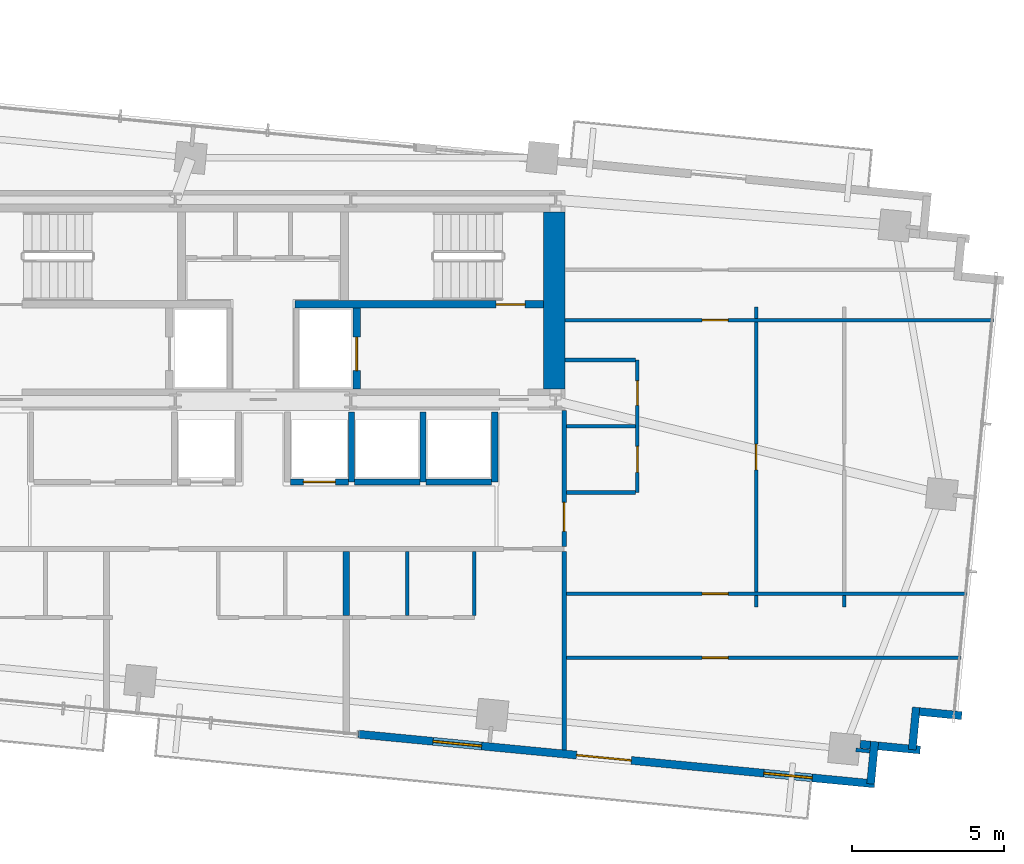
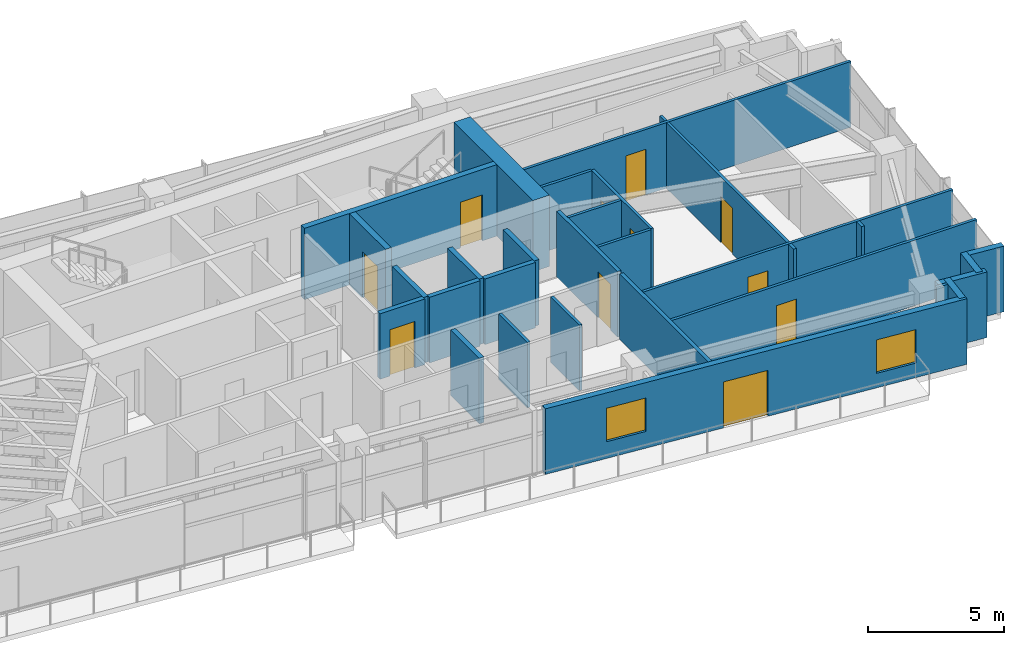
# One storey, part 16 of 19: 31 walls, 11 doors, 2 windows, 13 openings.
"""IFC4 building model written with IfcOpenShell, lengths in metres."""

from ifc_helpers import new_model, si_unit, direction, frame, frame_2d, origin, place, context, subcontext, project, spatial, rectangle, extrude, source, transform, mapped, material, layer, layer_set, type_object, type_shapes, element, fill, save


model = new_model("IFC4")

# Units and contexts
model_context = context("Model", 3, precision=1e-05, world=origin(), true_north=direction((0.0, 1.0)))
body_context = subcontext(model_context, "Body", "Model", "MODEL_VIEW")
ifc_project = project(units=[si_unit("LENGTHUNIT", "METRE"), si_unit("AREAUNIT", "SQUARE_METRE"), si_unit("VOLUMEUNIT", "CUBIC_METRE"), si_unit("PLANEANGLEUNIT", "RADIAN"), si_unit("MASSUNIT", "GRAM", prefix="KILO")], contexts=[model_context])

# Site, building, storey
site_placement = place(None, origin())
site = spatial("IfcSite", under=ifc_project, at=site_placement, CompositionType="ELEMENT")
building_placement = place(site_placement, origin())
building = spatial("IfcBuilding", under=site, at=building_placement, Name="Astriad Promenade Condominiums", CompositionType="ELEMENT")
storey_placement = place(building_placement, frame((0.0, 0.0, 150.199951171875)))
storey = spatial("IfcBuildingStorey", under=building, at=storey_placement, Name="L43", CompositionType="ELEMENT", Elevation=150.199951171875)

# Wall
ifc_material_1 = material(Name="Concrete C60/75", Category="concrete")
ifc_layer_1 = layer(ifc_material_1, 0.699951171875)
ifc_layer_set_1 = layer_set([ifc_layer_1], Name="Concrete C60/75")
wall_type_1 = type_object("IfcWallType", Name="CW-SHEAR-700", PredefinedType="SHEAR", material=ifc_layer_set_1)
wall_1_placement = place(storey_placement, frame((45.550048828125, 17.802001953125, 0.0), z_axis=(0.0, 0.0, 1.0), x_axis=(0.0, 1.0, 0.0)))
element("IfcWall", 1, at=wall_1_placement, inside=storey, type_object=wall_type_1, Name="CW-CORE-E-L43", PredefinedType="SHEAR", context=body_context, shape_type="SweptSolid", body=[
    extrude(rectangle(XDim=5.7958984375, YDim=0.699951171875, at=frame_2d((2.89794921875, 0.0))), origin(), (0.0, 0.0, 1.0), 3.199951171875),
])

# Wall, opening, door
ifc_material_2 = material(Name="Concrete C50/60", Category="concrete")
ifc_layer_2 = layer(ifc_material_2, 0.25)
ifc_layer_set_2 = layer_set([ifc_layer_2], Name="Concrete C50/60")
wall_type_2 = type_object("IfcWallType", Name="WALL-CORE-INT-250", PredefinedType="SOLIDWALL", material=ifc_layer_set_2)
wall_2_placement = place(storey_placement, frame((37.050048828125, 20.574951171875, 0.0), z_axis=(0.0, 0.0, 1.0), x_axis=(1.0, 0.0, 0.0)))
wall_2 = element("IfcWall", 2, at=wall_2_placement, inside=storey, type_object=wall_type_2, Name="CW-INT-H2-L43", PredefinedType="SOLIDWALL", context=body_context, shape_type="SweptSolid", body=[
    extrude(rectangle(XDim=8.14794921875, YDim=0.25, at=frame_2d((4.073974609375, 0.0))), origin(), (0.0, 0.0, 1.0), 3.199951171875),
])
opening_1_placement = place(wall_2_placement, frame((6.60009765625, 0.0, 0.0)))
opening_1 = element("IfcOpeningElement", 3, at=opening_1_placement, cuts=wall_2, Name="Opening FD90-ST-095", PredefinedType="OPENING", context=body_context, shape_type="SweptSolid", body=[
    extrude(rectangle(XDim=0.949951171875, YDim=2.06005859375, at=frame_2d((0.47509765625, 1.030029296875))), frame((0.0, 0.135009765625, 0.0), z_axis=(0.0, -1.0, 0.0), x_axis=(1.0, 0.0, 0.0)), (0.0, 0.0, 1.0), 0.27001953125),
])
ifc_material_3 = material(Name="Fire-Rated Hollow Metal Stair Door")
door_type_1 = type_object("IfcDoorType", Name="FD90-ST-095", OperationType="NOTDEFINED", PredefinedType="DOOR", material=ifc_material_3)
shared_shape_1 = source(origin(), body_context, "Body", "SweptSolid", [
    extrude(rectangle(XDim=0.949951171875, YDim=2.06005859375, at=frame_2d((0.47509765625, 1.030029296875))), frame((0.0, 0.02490234375, 0.0), z_axis=(0.0, -1.0, 0.0), x_axis=(1.0, 0.0, 0.0)), (0.0, 0.0, 1.0), 0.050048828125),
])
type_shapes(door_type_1, [shared_shape_1])
door_1_placement = place(opening_1_placement, origin())
door_1 = element("IfcDoor", 4, at=door_1_placement, inside=storey, type_object=door_type_1, Name="D-ST2-L43", OperationType="SINGLE_SWING_RIGHT", OverallHeight=2.06005859375, OverallWidth=0.949951171875, PredefinedType="DOOR", context=body_context, shape_type="MappedRepresentation", body=[
    mapped(shared_shape_1, transform((0.0, 0.0, 0.0), scale=1.0)),
])
fill(opening_1, door_1)

wall_3_placement = place(storey_placement, frame((39.074951171875, 17.802001953125, 0.0), z_axis=(0.0, 0.0, 1.0), x_axis=(0.0, 1.0, 0.0)))
wall_3 = element("IfcWall", 5, at=wall_3_placement, inside=storey, type_object=wall_type_2, Name="CW-FFL2-E-L43", PredefinedType="SOLIDWALL", context=body_context, shape_type="SweptSolid", body=[
    extrude(rectangle(XDim=2.64599609375, YDim=0.25, at=frame_2d((1.322998046875, 0.0))), origin(), (0.0, 0.0, 1.0), 3.199951171875),
])
opening_2_placement = place(wall_3_placement, frame((0.597900390625, 0.0, 0.0)))
opening_2 = element("IfcOpeningElement", 6, at=opening_2_placement, cuts=wall_3, Name="Opening LD-FFL-1122", PredefinedType="OPENING", context=body_context, shape_type="SweptSolid", body=[
    extrude(rectangle(XDim=1.10009765625, YDim=2.080078125, at=frame_2d((0.550048828125, 1.0400390625))), frame((0.0, 0.135009765625, 0.0), z_axis=(0.0, -1.0, 0.0), x_axis=(1.0, 0.0, 0.0)), (0.0, 0.0, 1.0), 0.27001953125),
])
ifc_material_4 = material(Name="Brushed Stainless Steel Fire Elevator Landing Door", Category="steel")
door_type_2 = type_object("IfcDoorType", Name="LD-FFL-1122", OperationType="NOTDEFINED", PredefinedType="DOOR", material=ifc_material_4)
shared_shape_2 = source(origin(), body_context, "Body", "SweptSolid", [
    extrude(rectangle(XDim=1.10009765625, YDim=2.080078125, at=frame_2d((0.550048828125, 1.0400390625))), frame((0.0, 0.02490234375, 0.0), z_axis=(0.0, -1.0, 0.0), x_axis=(1.0, 0.0, 0.0)), (0.0, 0.0, 1.0), 0.050048828125),
])
type_shapes(door_type_2, [shared_shape_2])
door_2_placement = place(opening_2_placement, origin())
door_2 = element("IfcDoor", 7, at=door_2_placement, inside=storey, type_object=door_type_2, Name="Elevator Landing Door FFL-2 (L43)", OperationType="SLIDING_TO_RIGHT", OverallHeight=2.080078125, OverallWidth=1.10009765625, PredefinedType="DOOR", context=body_context, shape_type="MappedRepresentation", body=[
    mapped(shared_shape_2, transform((0.0, 0.0, 0.0), scale=1.0)),
])
fill(opening_2, door_2)

# Wall
ifc_material_5 = material(Name="Fire-Rated Gypsum Partition")
ifc_layer_3 = layer(ifc_material_5, 0.159912109375)
ifc_layer_set_3 = layer_set([ifc_layer_3], Name="Fire-Rated Gypsum Partition")
wall_type_3 = type_object("IfcWallType", Name="WALL-CORR-160", PredefinedType="PARTITIONING", material=ifc_layer_set_3)
wall_4_placement = place(storey_placement, frame((45.8798828125, 5.95849609375, 0.0), z_axis=(0.0, 0.0, 1.0), x_axis=(0.0, 1.0, 0.0)))
element("IfcWall", 8, at=wall_4_placement, inside=storey, type_object=wall_type_3, Name="PT-COR-E-L43", PredefinedType="PARTITIONING", context=body_context, shape_type="SweptSolid", body=[
    extrude(rectangle(XDim=6.509521484375, YDim=0.159912109375, at=frame_2d((3.2548828125, 0.0))), origin(), (0.0, 0.0, 1.0), 2.93994140625),
])

# Wall, opening, door
wall_5_placement = place(storey_placement, frame((45.8798828125, 12.632080078125, 0.0), z_axis=(0.0, 0.0, 1.0), x_axis=(0.0, 1.0, 0.0)))
wall_5 = element("IfcWall", 9, at=wall_5_placement, inside=storey, type_object=wall_type_3, Name="PT-COR-E-L43-S2", PredefinedType="PARTITIONING", context=body_context, shape_type="SweptSolid", body=[
    extrude(rectangle(XDim=4.4658203125, YDim=0.159912109375, at=frame_2d((2.23291015625, 0.0))), origin(), (0.0, 0.0, 1.0), 2.93994140625),
])
opening_3_placement = place(wall_5_placement, frame((0.492919921875, 0.0, 0.0)))
opening_3 = element("IfcOpeningElement", 10, at=opening_3_placement, cuts=wall_5, Name="Opening FD60-APT-095", PredefinedType="OPENING", context=body_context, shape_type="SweptSolid", body=[
    extrude(rectangle(XDim=0.949951171875, YDim=2.06005859375, at=frame_2d((0.47509765625, 1.030029296875))), frame((0.0, 0.08984375, 0.0), z_axis=(0.0, -1.0, 0.0), x_axis=(1.0, 0.0, 0.0)), (0.0, 0.0, 1.0), 0.179931640625),
])
ifc_material_6 = material(Name="Solid-Core Acoustic Timber Residence Entry Door", Category="wood")
door_type_3 = type_object("IfcDoorType", Name="FD60-APT-095", OperationType="NOTDEFINED", PredefinedType="DOOR", material=ifc_material_6)
shared_shape_3 = source(origin(), body_context, "Body", "SweptSolid", [
    extrude(rectangle(XDim=0.949951171875, YDim=2.06005859375, at=frame_2d((0.47509765625, 1.030029296875))), frame((0.0, 0.02490234375, 0.0), z_axis=(0.0, -1.0, 0.0), x_axis=(1.0, 0.0, 0.0)), (0.0, 0.0, 1.0), 0.050048828125),
])
type_shapes(door_type_3, [shared_shape_3])
door_3_placement = place(opening_3_placement, origin())
door_3 = element("IfcDoor", 11, at=door_3_placement, inside=storey, type_object=door_type_3, Name="D-ENT-L43-E1", OperationType="SINGLE_SWING_RIGHT", OverallHeight=2.06005859375, OverallWidth=0.949951171875, PredefinedType="DOOR", context=body_context, shape_type="MappedRepresentation", body=[
    mapped(shared_shape_3, transform((0.0, 0.0, 0.0), scale=1.0)),
])
fill(opening_3, door_3)

# Walls
ifc_material_7 = material(Name="Acoustic Double-Stud Gypsum Partition")
ifc_layer_4 = layer(ifc_material_7, 0.199951171875)
ifc_layer_set_4 = layer_set([ifc_layer_4], Name="Acoustic Double-Stud Gypsum Partition")
wall_type_4 = type_object("IfcWallType", Name="WALL-DEMISING-200", PredefinedType="PARTITIONING", material=ifc_layer_set_4)
wall_6_placement = place(storey_placement, frame((38.73095703125, 10.362060546875, 0.0), z_axis=(0.0, 0.0, 1.0), x_axis=(0.0, 1.0, 0.0)))
element("IfcWall", 12, at=wall_6_placement, inside=storey, type_object=wall_type_4, Name="PT-DEM-S2-L43-S2", PredefinedType="PARTITIONING", context=body_context, shape_type="SweptSolid", body=[
    extrude(rectangle(XDim=2.10595703125, YDim=0.199951171875, at=frame_2d((1.052978515625, 0.0))), origin(), (0.0, 0.0, 1.0), 2.93994140625),
])
ifc_material_8 = material(Name="Precast concrete C50/60", Category="concrete")
ifc_layer_5 = layer(ifc_material_8, 0.260009765625)
ifc_layer_set_5 = layer_set([ifc_layer_5], Name="Precast concrete C50/60")
wall_type_5 = type_object("IfcWallType", Name="WALL-EXT-TWR-260", PredefinedType="STANDARD", material=ifc_layer_set_5)
for number, where, z_axis, x_axis, name in (
    (13, (58.918701171875, 7.081787109375, 0.0), (0.0, 0.0, 1.0), (-0.995389446633, 0.095915846097, 0.0), "W-SER-L43-14"),
    (14, (57.42822265625, 7.35595703125, 0.0), (0.0, 0.0, 1.0), (-0.095915846097, -0.995389446633, 0.0), "W-SER-L43-15"),
):
    element("IfcWall", number, at=place(storey_placement, frame(where, z_axis=z_axis, x_axis=x_axis)), inside=storey, type_object=wall_type_5, Name=name, PredefinedType="STANDARD", context=body_context, shape_type="SweptSolid", body=[
        extrude(rectangle(XDim=1.394775390625, YDim=0.260009765625, at=frame_2d((0.697265625, 0.0))), origin(), (0.0, 0.0, 1.0), 2.93994140625),
    ])
wall_7_placement = place(storey_placement, frame((57.5546875, 5.95751953125, 0.0), z_axis=(0.0, 0.0, 1.0), x_axis=(-0.995401789159, 0.095787672171, 0.0)))
element("IfcWall", 15, at=wall_7_placement, inside=storey, type_object=wall_type_5, Name="W-SER-L43-16", PredefinedType="STANDARD", context=body_context, shape_type="SweptSolid", body=[
    extrude(rectangle(XDim=1.977783203125, YDim=0.260009765625, at=frame_2d((0.98876953125, 0.0))), origin(), (0.0, 0.0, 1.0), 2.93994140625),
])
wall_8_placement = place(storey_placement, frame((56.064208984375, 6.231689453125, 0.0), z_axis=(0.0, 0.0, 1.0), x_axis=(-0.09589913835, -0.995391056452, 0.0)))
element("IfcWall", 16, at=wall_8_placement, inside=storey, type_object=wall_type_5, Name="W-SER-L43-17", PredefinedType="STANDARD", context=body_context, shape_type="SweptSolid", body=[
    extrude(rectangle(XDim=1.39501953125, YDim=0.260009765625, at=frame_2d((0.697509765625, 0.0))), origin(), (0.0, 0.0, 1.0), 2.93994140625),
])

# Wall, openings, door, windows
wall_9_placement = place(storey_placement, frame((56.061279296875, 4.845458984375, 0.0), z_axis=(0.0, 0.0, 1.0), x_axis=(-0.995395976631, 0.095848055311, 0.0)))
wall_9 = element("IfcWall", 17, at=wall_9_placement, inside=storey, type_object=wall_type_5, Name="W-EXT-L43-S1", PredefinedType="STANDARD", context=body_context, shape_type="SweptSolid", body=[
    extrude(rectangle(XDim=17.010009765625, YDim=0.260009765625, at=frame_2d((8.5048828125, 0.0))), origin(), (0.0, 0.0, 1.0), 2.93994140625),
])
opening_4_placement = place(wall_9_placement, frame((8.02294921875, 0.0, 0.0)))
opening_4 = element("IfcOpeningElement", 18, at=opening_4_placement, cuts=wall_9, Name="Opening BD-1822-SLD", PredefinedType="OPENING", context=body_context, shape_type="SweptSolid", body=[
    extrude(rectangle(XDim=1.800048828125, YDim=2.06005859375, at=frame_2d((0.89990234375, 1.030029296875))), frame((0.0, 0.139892578125, 0.0), z_axis=(0.0, -1.0, 0.0), x_axis=(1.0, 0.0, 0.0)), (0.0, 0.0, 1.0), 0.280029296875),
])
opening_5_placement = place(wall_9_placement, frame((2.050048828125, 0.0, 0.64990234375)))
opening_5 = element("IfcOpeningElement", 19, at=opening_5_placement, cuts=wall_9, Name="Opening WIN-TWR-1620", PredefinedType="OPENING", context=body_context, shape_type="SweptSolid", body=[
    extrude(rectangle(XDim=1.60009765625, YDim=1.5, at=frame_2d((0.800048828125, 0.75))), frame((0.0, 0.139892578125, 0.0), z_axis=(0.0, -1.0, 0.0), x_axis=(1.0, 0.0, 0.0)), (0.0, 0.0, 1.0), 0.280029296875),
])
opening_6_placement = place(wall_9_placement, frame((12.951904296875, 0.0, 0.75)))
opening_6 = element("IfcOpeningElement", 20, at=opening_6_placement, cuts=wall_9, Name="Opening WIN-TWR-1620", PredefinedType="OPENING", context=body_context, shape_type="SweptSolid", body=[
    extrude(rectangle(XDim=1.60009765625, YDim=1.5, at=frame_2d((0.800048828125, 0.75))), frame((0.0, 0.139892578125, 0.0), z_axis=(0.0, -1.0, 0.0), x_axis=(1.0, 0.0, 0.0)), (0.0, 0.0, 1.0), 0.280029296875),
])
ifc_material_9 = material(Name="Thermally Broken Aluminium Sliding Balcony Door", Category="aluminium")
door_type_4 = type_object("IfcDoorType", Name="BD-1822-SLD", OperationType="NOTDEFINED", PredefinedType="DOOR", material=ifc_material_9)
shared_shape_4 = source(origin(), body_context, "Body", "SweptSolid", [
    extrude(rectangle(XDim=1.800048828125, YDim=2.06005859375, at=frame_2d((0.89990234375, 1.030029296875))), frame((0.0, 0.02490234375, 0.0), z_axis=(0.0, -1.0, 0.0), x_axis=(1.0, 0.0, 0.0)), (0.0, 0.0, 1.0), 0.050048828125),
])
type_shapes(door_type_4, [shared_shape_4])
door_4_placement = place(opening_4_placement, origin())
door_4 = element("IfcDoor", 21, at=door_4_placement, inside=storey, type_object=door_type_4, Name="BD-L43-SE", OperationType="SLIDING_TO_RIGHT", OverallHeight=2.06005859375, OverallWidth=1.800048828125, PredefinedType="DOOR", context=body_context, shape_type="MappedRepresentation", body=[
    mapped(shared_shape_4, transform((0.0, 0.0, 0.0), scale=1.0)),
])
fill(opening_4, door_4)
ifc_material_10 = material(Name="Dark Tinted Triple-Glazed Aluminium Window", Category="aluminium")
window_type = type_object("IfcWindowType", Name="WIN-TWR-1620", PartitioningType="SINGLE_PANEL", PredefinedType="WINDOW", material=ifc_material_10)
shared_shape_5 = source(origin(), body_context, "Body", "SweptSolid", [
    extrude(rectangle(XDim=1.60009765625, YDim=1.5, at=frame_2d((0.800048828125, 0.75))), frame((0.0, 0.030029296875, 0.0), z_axis=(0.0, -1.0, 0.0), x_axis=(1.0, 0.0, 0.0)), (0.0, 0.0, 1.0), 0.06005859375),
])
type_shapes(window_type, [shared_shape_5])
window_1_placement = place(opening_5_placement, origin())
window_1 = element("IfcWindow", 22, at=window_1_placement, inside=storey, type_object=window_type, Name="WIN-L43-SE", OverallHeight=1.5, OverallWidth=1.60009765625, PartitioningType="SINGLE_PANEL", PredefinedType="WINDOW", context=body_context, shape_type="MappedRepresentation", body=[
    mapped(shared_shape_5, transform((0.0, 0.0, 0.0), scale=1.0)),
])
fill(opening_5, window_1)
window_2_placement = place(opening_6_placement, origin())
window_2 = element("IfcWindow", 23, at=window_2_placement, inside=storey, type_object=window_type, Name="WIN-DW-L43-S3-STD", OverallHeight=1.5, OverallWidth=1.60009765625, PartitioningType="SINGLE_PANEL", PredefinedType="WINDOW", context=body_context, shape_type="MappedRepresentation", body=[
    mapped(shared_shape_5, transform((0.0, 0.0, 0.0), scale=1.0)),
])
fill(opening_6, window_2)

# Walls
ifc_material_11 = material(Name="Acoustic Metal-Stud Gypsum Partition")
ifc_layer_6 = layer(ifc_material_11, 0.1201171875)
ifc_layer_set_6 = layer_set([ifc_layer_6], Name="Acoustic Metal-Stud Gypsum Partition")
wall_type_6 = type_object("IfcWallType", Name="WALL-PART-120", PredefinedType="PARTITIONING", material=ifc_layer_set_6)
for number, where, z_axis, x_axis, name in (
    (24, (42.930908203125, 10.362060546875, 0.0), (0.0, 0.0, 1.0), (0.0, 1.0, 0.0), "PT-L43-S3-PK"),
    (25, (40.73095703125, 10.362060546875, 0.0), (0.0, 0.0, 1.0), (0.0, 1.0, 0.0), "PT-L43-S3-PB"),
):
    element("IfcWall", number, at=place(storey_placement, frame(where, z_axis=z_axis, x_axis=x_axis)), inside=storey, type_object=wall_type_6, Name=name, PredefinedType="PARTITIONING", context=body_context, shape_type="SweptSolid", body=[
        extrude(rectangle(XDim=2.10595703125, YDim=0.1201171875, at=frame_2d((1.052978515625, 0.0))), origin(), (0.0, 0.0, 1.0), 2.93994140625),
    ])

# Wall, openings, doors
wall_10_placement = place(storey_placement, frame((48.280029296875, 14.39990234375, 0.0), z_axis=(0.0, 0.0, 1.0), x_axis=(0.0, 1.0, 0.0)))
wall_10 = element("IfcWall", 26, at=wall_10_placement, inside=storey, type_object=wall_type_6, Name="PT-L43-E1-PV", PredefinedType="PARTITIONING", context=body_context, shape_type="SweptSolid", body=[
    extrude(rectangle(XDim=4.35009765625, YDim=0.1201171875, at=frame_2d((2.175048828125, 0.0))), origin(), (0.0, 0.0, 1.0), 2.93994140625),
])
opening_7_placement = place(wall_10_placement, frame((0.6630859375, 0.0, 0.0)))
opening_7 = element("IfcOpeningElement", 27, at=opening_7_placement, cuts=wall_10, Name="Opening D-INT-085", PredefinedType="OPENING", context=body_context, shape_type="SweptSolid", body=[
    extrude(rectangle(XDim=0.85009765625, YDim=2.050048828125, at=frame_2d((0.425048828125, 1.02490234375))), frame((0.0, 0.070068359375, 0.0), z_axis=(0.0, -1.0, 0.0), x_axis=(1.0, 0.0, 0.0)), (0.0, 0.0, 1.0), 0.14013671875),
])
opening_8_placement = place(wall_10_placement, frame((2.863037109375, 0.0, 0.0)))
opening_8 = element("IfcOpeningElement", 28, at=opening_8_placement, cuts=wall_10, Name="Opening D-WET-080", PredefinedType="OPENING", context=body_context, shape_type="SweptSolid", body=[
    extrude(rectangle(XDim=0.800048828125, YDim=2.02001953125, at=frame_2d((0.39990234375, 1.010009765625))), frame((0.0, 0.070068359375, 0.0), z_axis=(0.0, -1.0, 0.0), x_axis=(1.0, 0.0, 0.0)), (0.0, 0.0, 1.0), 0.14013671875),
])
ifc_material_12 = material(Name="Moisture-Resistant Timber Bathroom Door", Category="wood")
door_type_5 = type_object("IfcDoorType", Name="D-WET-080", OperationType="NOTDEFINED", PredefinedType="DOOR", material=ifc_material_12)
shared_shape_6 = source(origin(), body_context, "Body", "SweptSolid", [
    extrude(rectangle(XDim=0.800048828125, YDim=2.02001953125, at=frame_2d((0.39990234375, 1.010009765625))), frame((0.0, 0.02490234375, 0.0), z_axis=(0.0, -1.0, 0.0), x_axis=(1.0, 0.0, 0.0)), (0.0, 0.0, 1.0), 0.050048828125),
])
type_shapes(door_type_5, [shared_shape_6])
door_5_placement = place(opening_8_placement, origin())
door_5 = element("IfcDoor", 29, at=door_5_placement, inside=storey, type_object=door_type_5, Name="D-BTH-L43-E1", OperationType="SINGLE_SWING_RIGHT", OverallHeight=2.02001953125, OverallWidth=0.800048828125, PredefinedType="DOOR", context=body_context, shape_type="MappedRepresentation", body=[
    mapped(shared_shape_6, transform((0.0, 0.0, 0.0), scale=1.0)),
])
fill(opening_8, door_5)
ifc_material_13 = material(Name="Painted Solid-Core Timber Room Door", Category="wood")
door_type_6 = type_object("IfcDoorType", Name="D-INT-085", OperationType="NOTDEFINED", PredefinedType="DOOR", material=ifc_material_13)
shared_shape_7 = source(origin(), body_context, "Body", "SweptSolid", [
    extrude(rectangle(XDim=0.85009765625, YDim=2.050048828125, at=frame_2d((0.425048828125, 1.02490234375))), frame((0.0, 0.02490234375, 0.0), z_axis=(0.0, -1.0, 0.0), x_axis=(1.0, 0.0, 0.0)), (0.0, 0.0, 1.0), 0.050048828125),
])
type_shapes(door_type_6, [shared_shape_7])
door_6_placement = place(opening_7_placement, origin())
door_6 = element("IfcDoor", 30, at=door_6_placement, inside=storey, type_object=door_type_6, Name="D-KIT-L43-E1", OperationType="SINGLE_SWING_LEFT", OverallHeight=2.050048828125, OverallWidth=0.85009765625, PredefinedType="DOOR", context=body_context, shape_type="MappedRepresentation", body=[
    mapped(shared_shape_7, transform((0.0, 0.0, 0.0), scale=1.0)),
])
fill(opening_7, door_6)

# Walls
for number, where, z_axis, x_axis, name in (
    (31, (45.9619140625, 16.574951171875, 0.0), (0.0, 0.0, 1.0), (1.0, 0.0, 0.0), "PT-L43-E1-PM"),
    (32, (45.9619140625, 14.39990234375, 0.0), (0.0, 0.0, 1.0), (1.0, 0.0, 0.0), "PT-L43-E1-PS"),
):
    element("IfcWall", number, at=place(storey_placement, frame(where, z_axis=z_axis, x_axis=x_axis)), inside=storey, type_object=wall_type_6, Name=name, PredefinedType="PARTITIONING", context=body_context, shape_type="SweptSolid", body=[
        extrude(rectangle(XDim=2.256103515625, YDim=0.1201171875, at=frame_2d((1.1279296875, 0.0))), origin(), (0.0, 0.0, 1.0), 2.93994140625),
    ])
wall_11_placement = place(storey_placement, frame((45.902099609375, 18.75, 0.0), z_axis=(0.0, 0.0, 1.0), x_axis=(1.0, 0.0, 0.0)))
element("IfcWall", 33, at=wall_11_placement, inside=storey, type_object=wall_type_6, Name="PT-L43-E1-PN", PredefinedType="PARTITIONING", context=body_context, shape_type="SweptSolid", body=[
    extrude(rectangle(XDim=2.31591796875, YDim=0.1201171875, at=frame_2d((1.157958984375, 0.0))), origin(), (0.0, 0.0, 1.0), 2.93994140625),
])

# Wall, opening, door
wall_12_placement = place(storey_placement, frame((45.9619140625, 8.98193359375, 0.0), z_axis=(0.0, 0.0, 1.0), x_axis=(1.0, 0.0, 0.0)))
wall_12 = element("IfcWall", 34, at=wall_12_placement, inside=storey, type_object=wall_type_6, Name="PT-L43-E1-WDS1", PredefinedType="PARTITIONING", context=body_context, shape_type="SweptSolid", body=[
    extrude(rectangle(XDim=12.928955078125, YDim=0.1201171875, at=frame_2d((6.46435546875, 0.0))), origin(), (0.0, 0.0, 1.0), 2.93994140625),
])
opening_9_placement = place(wall_12_placement, frame((4.44091796875, 0.0, 0.0)))
opening_9 = element("IfcOpeningElement", 35, at=opening_9_placement, cuts=wall_12, Name="Opening D-INT-085", PredefinedType="OPENING", context=body_context, shape_type="SweptSolid", body=[
    extrude(rectangle(XDim=0.85009765625, YDim=2.050048828125, at=frame_2d((0.425048828125, 1.02490234375))), frame((0.0, 0.070068359375, 0.0), z_axis=(0.0, -1.0, 0.0), x_axis=(1.0, 0.0, 0.0)), (0.0, 0.0, 1.0), 0.14013671875),
])
door_7_placement = place(opening_9_placement, origin())
door_7 = element("IfcDoor", 36, at=door_7_placement, inside=storey, type_object=door_type_6, Name="D-WDS1-L43-E1", OperationType="SINGLE_SWING_LEFT", OverallHeight=2.050048828125, OverallWidth=0.85009765625, PredefinedType="DOOR", context=body_context, shape_type="MappedRepresentation", body=[
    mapped(shared_shape_7, transform((0.0, 0.0, 0.0), scale=1.0)),
])
fill(opening_9, door_7)

wall_13_placement = place(storey_placement, frame((45.9619140625, 11.0810546875, 0.0), z_axis=(0.0, 0.0, 1.0), x_axis=(1.0, 0.0, 0.0)))
wall_13 = element("IfcWall", 37, at=wall_13_placement, inside=storey, type_object=wall_type_6, Name="PT-L43-E1-WDS3", PredefinedType="PARTITIONING", context=body_context, shape_type="SweptSolid", body=[
    extrude(rectangle(XDim=13.131103515625, YDim=0.1201171875, at=frame_2d((6.5654296875, 0.0))), origin(), (0.0, 0.0, 1.0), 2.93994140625),
])
opening_10_placement = place(wall_13_placement, frame((4.44091796875, 0.0, 0.0)))
opening_10 = element("IfcOpeningElement", 38, at=opening_10_placement, cuts=wall_13, Name="Opening D-INT-085", PredefinedType="OPENING", context=body_context, shape_type="SweptSolid", body=[
    extrude(rectangle(XDim=0.85009765625, YDim=2.050048828125, at=frame_2d((0.425048828125, 1.02490234375))), frame((0.0, 0.070068359375, 0.0), z_axis=(0.0, -1.0, 0.0), x_axis=(1.0, 0.0, 0.0)), (0.0, 0.0, 1.0), 0.14013671875),
])
door_8_placement = place(opening_10_placement, origin())
door_8 = element("IfcDoor", 39, at=door_8_placement, inside=storey, type_object=door_type_6, Name="D-WDS3-L43-E1", OperationType="SINGLE_SWING_LEFT", OverallHeight=2.050048828125, OverallWidth=0.85009765625, PredefinedType="DOOR", context=body_context, shape_type="MappedRepresentation", body=[
    mapped(shared_shape_7, transform((0.0, 0.0, 0.0), scale=1.0)),
])
fill(opening_10, door_8)

wall_14_placement = place(storey_placement, frame((45.902099609375, 20.052978515625, 0.0), z_axis=(0.0, 0.0, 1.0), x_axis=(1.0, 0.0, 0.0)))
wall_14 = element("IfcWall", 40, at=wall_14_placement, inside=storey, type_object=wall_type_6, Name="PT-L43-E1-WDN4", PredefinedType="PARTITIONING", context=body_context, shape_type="SweptSolid", body=[
    extrude(rectangle(XDim=14.0546875, YDim=0.1201171875, at=frame_2d((7.02734375, 0.0))), origin(), (0.0, 0.0, 1.0), 2.93994140625),
])
opening_11_placement = place(wall_14_placement, frame((4.5009765625, 0.0, 0.0)))
opening_11 = element("IfcOpeningElement", 41, at=opening_11_placement, cuts=wall_14, Name="Opening D-INT-085", PredefinedType="OPENING", context=body_context, shape_type="SweptSolid", body=[
    extrude(rectangle(XDim=0.85009765625, YDim=2.050048828125, at=frame_2d((0.425048828125, 1.02490234375))), frame((0.0, 0.070068359375, 0.0), z_axis=(0.0, -1.0, 0.0), x_axis=(1.0, 0.0, 0.0)), (0.0, 0.0, 1.0), 0.14013671875),
])
door_9_placement = place(opening_11_placement, origin())
door_9 = element("IfcDoor", 42, at=door_9_placement, inside=storey, type_object=door_type_6, Name="D-WDN4-L43-E1", OperationType="SINGLE_SWING_RIGHT", OverallHeight=2.050048828125, OverallWidth=0.85009765625, PredefinedType="DOOR", context=body_context, shape_type="MappedRepresentation", body=[
    mapped(shared_shape_7, transform((0.0, 0.0, 0.0), scale=1.0)),
])
fill(opening_11, door_9)

# Walls
for number, where, z_axis, x_axis, name in (
    (43, (55.06103515625, 10.64111328125, 0.0), (0.0, 0.0, 1.0), (0.0, 1.0, 0.0), "PT-L43-E1-WDV5"),
    (44, (52.177978515625, 10.64111328125, 0.0), (0.0, 0.0, 1.0), (0.0, 1.0, 0.0), "PT-L43-E1-WDV6"),
):
    element("IfcWall", number, at=place(storey_placement, frame(where, z_axis=z_axis, x_axis=x_axis)), inside=storey, type_object=wall_type_6, Name=name, PredefinedType="PARTITIONING", context=body_context, shape_type="SweptSolid", body=[
        extrude(rectangle(XDim=0.3779296875, YDim=0.1201171875, at=frame_2d((0.18896484375, 0.0))), origin(), (0.0, 0.0, 1.0), 2.93994140625),
    ])

# Wall, opening, door
wall_15_placement = place(storey_placement, frame((52.177978515625, 11.14306640625, 0.0), z_axis=(0.0, 0.0, 1.0), x_axis=(0.0, 1.0, 0.0)))
wall_15 = element("IfcWall", 45, at=wall_15_placement, inside=storey, type_object=wall_type_6, Name="PT-L43-E1-WDV6-S2", PredefinedType="PARTITIONING", context=body_context, shape_type="SweptSolid", body=[
    extrude(rectangle(XDim=8.847900390625, YDim=0.1201171875, at=frame_2d((4.423828125, 0.0))), origin(), (0.0, 0.0, 1.0), 2.93994140625),
])
opening_12_placement = place(wall_15_placement, frame((3.9990234375, 0.0, 0.0)))
opening_12 = element("IfcOpeningElement", 46, at=opening_12_placement, cuts=wall_15, Name="Opening D-INT-085", PredefinedType="OPENING", context=body_context, shape_type="SweptSolid", body=[
    extrude(rectangle(XDim=0.85009765625, YDim=2.050048828125, at=frame_2d((0.425048828125, 1.02490234375))), frame((0.0, 0.070068359375, 0.0), z_axis=(0.0, -1.0, 0.0), x_axis=(1.0, 0.0, 0.0)), (0.0, 0.0, 1.0), 0.14013671875),
])
door_10_placement = place(opening_12_placement, origin())
door_10 = element("IfcDoor", 47, at=door_10_placement, inside=storey, type_object=door_type_6, Name="D-WDV6-L43-E1", OperationType="SINGLE_SWING_RIGHT", OverallHeight=2.050048828125, OverallWidth=0.85009765625, PredefinedType="DOOR", context=body_context, shape_type="MappedRepresentation", body=[
    mapped(shared_shape_7, transform((0.0, 0.0, 0.0), scale=1.0)),
])
fill(opening_12, door_10)

# Walls
wall_16_placement = place(storey_placement, frame((52.177978515625, 20.114990234375, 0.0), z_axis=(0.0, 0.0, 1.0), x_axis=(0.0, 1.0, 0.0)))
element("IfcWall", 48, at=wall_16_placement, inside=storey, type_object=wall_type_6, Name="PT-L43-E1-WDV6-S3", PredefinedType="PARTITIONING", context=body_context, shape_type="SweptSolid", body=[
    extrude(rectangle(XDim=0.3779296875, YDim=0.1201171875, at=frame_2d((0.18896484375, 0.0))), origin(), (0.0, 0.0, 1.0), 2.93994140625),
])
wall_17_placement = place(storey_placement, frame((55.4453125, 5.959716796875, 0.0), z_axis=(0.0, 0.0, 1.0), x_axis=(0.995384576284, -0.09596637586, 0.0)))
element("IfcWall", 49, at=wall_17_placement, inside=storey, type_object=wall_type_6, Name="PT-PIL-L43-PC05-12", PredefinedType="PARTITIONING", context=body_context, shape_type="SweptSolid", body=[
    extrude(rectangle(XDim=0.4580078125, YDim=0.1201171875, at=frame_2d((0.22900390625, 0.0))), origin(), (0.0, 0.0, 1.0), 2.93994140625),
])
ifc_material_14 = material(Name="Gypsum Shaftliner Assembly")
ifc_layer_7 = layer(ifc_material_14, 0.199951171875)
ifc_layer_set_7 = layer_set([ifc_layer_7], Name="Gypsum Shaftliner Assembly")
wall_type_7 = type_object("IfcWallType", Name="WALL-SHAFT-200", PredefinedType="PARTITIONING", material=ifc_layer_set_7)
wall_18_placement = place(storey_placement, frame((38.89990234375, 14.75, 0.0), z_axis=(0.0, 0.0, 1.0), x_axis=(0.0, 1.0, 0.0)))
element("IfcWall", 50, at=wall_18_placement, inside=storey, type_object=wall_type_7, Name="PL-MH-DIV-L43", PredefinedType="PARTITIONING", context=body_context, shape_type="SweptSolid", body=[
    extrude(rectangle(XDim=2.300048828125, YDim=0.199951171875, at=frame_2d((1.14990234375, 0.0))), origin(), (0.0, 0.0, 1.0), 2.93994140625),
])

# Wall, opening, door
wall_19_placement = place(storey_placement, frame((36.902099609375, 14.75, 0.0), z_axis=(0.0, 0.0, 1.0), x_axis=(1.0, 0.0, 0.0)))
wall_19 = element("IfcWall", 51, at=wall_19_placement, inside=storey, type_object=wall_type_7, Name="PL-M2-F-L43", PredefinedType="PARTITIONING", context=body_context, shape_type="SweptSolid", body=[
    extrude(rectangle(XDim=1.89599609375, YDim=0.199951171875, at=frame_2d((0.947998046875, 0.0))), origin(), (0.0, 0.0, 1.0), 2.93994140625),
])
opening_13_placement = place(wall_19_placement, frame((0.423095703125, 0.0, 0.0)))
opening_13 = element("IfcOpeningElement", 52, at=opening_13_placement, cuts=wall_19, Name="Opening LD-PL-10522", PredefinedType="OPENING", context=body_context, shape_type="SweptSolid", body=[
    extrude(rectangle(XDim=1.050048828125, YDim=2.080078125, at=frame_2d((0.52490234375, 1.0400390625))), frame((0.0, 0.10986328125, 0.0), z_axis=(0.0, -1.0, 0.0), x_axis=(1.0, 0.0, 0.0)), (0.0, 0.0, 1.0), 0.219970703125),
])
ifc_material_15 = material(Name="Brushed Bronze Passenger Elevator Landing Door")
door_type_7 = type_object("IfcDoorType", Name="LD-PL-10522", OperationType="NOTDEFINED", PredefinedType="DOOR", material=ifc_material_15)
shared_shape_8 = source(origin(), body_context, "Body", "SweptSolid", [
    extrude(rectangle(XDim=1.050048828125, YDim=2.080078125, at=frame_2d((0.52490234375, 1.0400390625))), frame((0.0, 0.02490234375, 0.0), z_axis=(0.0, -1.0, 0.0), x_axis=(1.0, 0.0, 0.0)), (0.0, 0.0, 1.0), 0.050048828125),
])
type_shapes(door_type_7, [shared_shape_8])
door_11_placement = place(opening_13_placement, origin())
door_11 = element("IfcDoor", 53, at=door_11_placement, inside=storey, type_object=door_type_7, Name="Elevator Landing Door PL-M2 (L43)", OperationType="SLIDING_TO_RIGHT", OverallHeight=2.080078125, OverallWidth=1.050048828125, PredefinedType="DOOR", context=body_context, shape_type="MappedRepresentation", body=[
    mapped(shared_shape_8, transform((0.0, 0.0, 0.0), scale=1.0)),
])
fill(opening_13, door_11)

# Walls
for number, where, z_axis, x_axis, name in (
    (54, (41.25, 14.75, 0.0), (0.0, 0.0, 1.0), (0.0, 1.0, 0.0), "PL-H-DIV-L43"),
    (55, (43.60009765625, 14.75, 0.0), (0.0, 0.0, 1.0), (0.0, 1.0, 0.0), "PL-E-OUT-L43"),
):
    element("IfcWall", number, at=place(storey_placement, frame(where, z_axis=z_axis, x_axis=x_axis)), inside=storey, type_object=wall_type_7, Name=name, PredefinedType="PARTITIONING", context=body_context, shape_type="SweptSolid", body=[
        extrude(rectangle(XDim=2.300048828125, YDim=0.199951171875, at=frame_2d((1.14990234375, 0.0))), origin(), (0.0, 0.0, 1.0), 2.93994140625),
    ])
for number, where, z_axis, x_axis, name in (
    (56, (39.001953125, 14.75, 0.0), (0.0, 0.0, 1.0), (1.0, 0.0, 0.0), "PL-H-FRT-L43"),
    (57, (41.35205078125, 14.75, 0.0), (0.0, 0.0, 1.0), (1.0, 0.0, 0.0), "PL-H-FRT-L43-S2"),
):
    element("IfcWall", number, at=place(storey_placement, frame(where, z_axis=z_axis, x_axis=x_axis)), inside=storey, type_object=wall_type_7, Name=name, PredefinedType="PARTITIONING", context=body_context, shape_type="SweptSolid", body=[
        extrude(rectangle(XDim=2.14599609375, YDim=0.199951171875, at=frame_2d((1.072998046875, 0.0))), origin(), (0.0, 0.0, 1.0), 2.93994140625),
    ])

save(model, "model.ifc")
